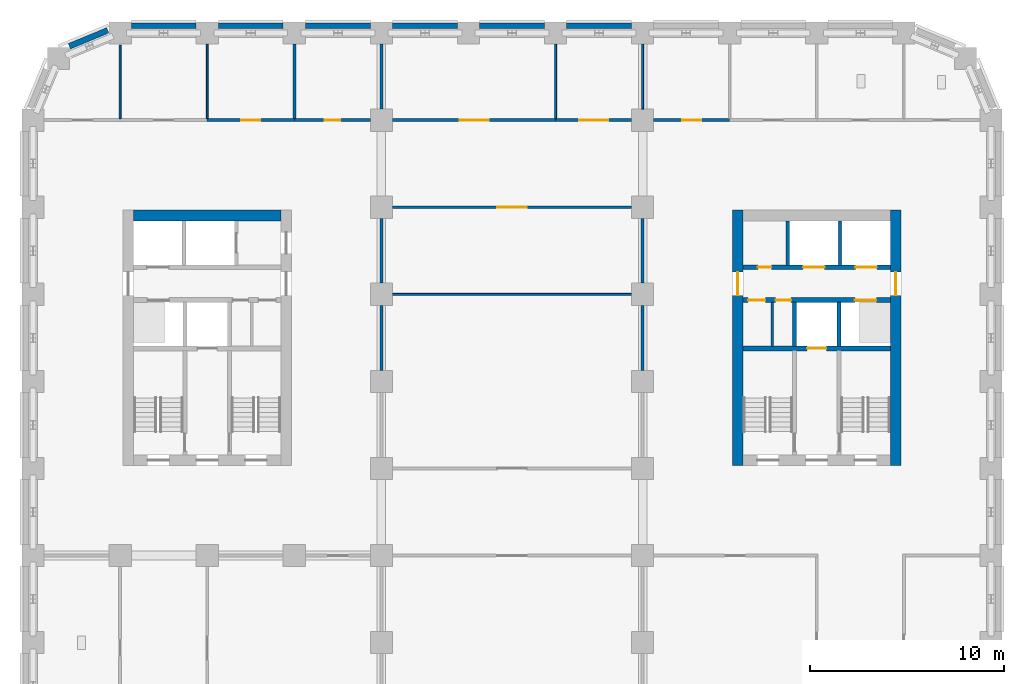
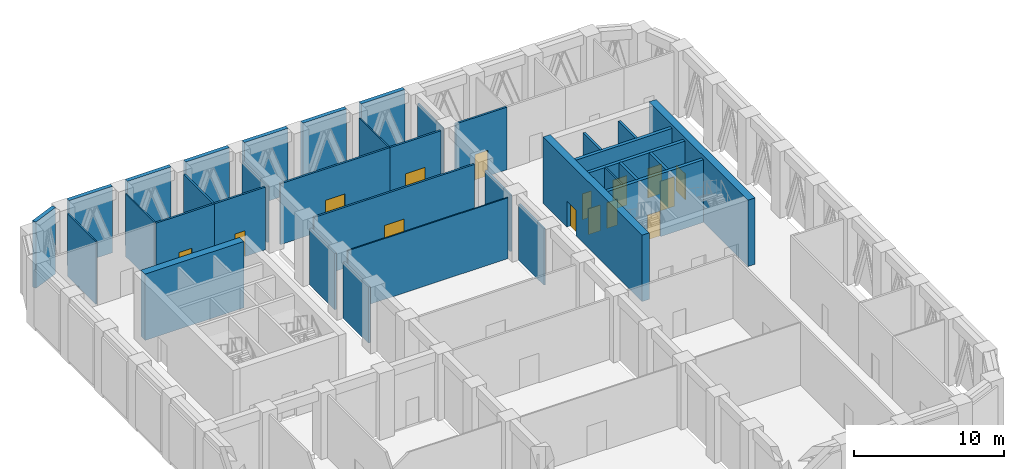
# One storey, part 5 of 11: 35 walls, 15 doors, 15 openings.
"""IFC4 building model written with IfcOpenShell, lengths in metres."""

import ifcopenshell
import ifcopenshell.guid

model = None  # the IFC model being written
_history = None  # IfcOwnerHistory: only IFC2X3 demands one
_inside = {}  # id of a spatial element -> (the spatial element, [elements in it])
_under = {}  # id of a project, library or spatial element -> (it, [spatial elements below it])
_declared = {}  # id of a project -> (the project, [libraries it declares])
_typed = {}  # id of a type object -> (the type object, [elements of that type])
_made_of = {}  # id of a material, layer set ... -> (it, [elements and type objects made of it])


def new_model(schema):
    """Start an empty IFC model of exactly this schema.

    Asked for "IFC4X3", IfcOpenShell would pick the latest addendum, in which some entities
    have other attributes; the version numbers below select the first issue.
    IFC2X3 requires an IfcOwnerHistory on every rooted entity: one is made here for all.
    """
    global model, _history
    if schema == "IFC4X3":
        model = ifcopenshell.file(schema_version=(4, 3, 0, 0))
    else:
        model = ifcopenshell.file(schema=schema)
    _inside.clear()
    _under.clear()
    _declared.clear()
    _typed.clear()
    _made_of.clear()
    _history = None
    if model.schema == "IFC2X3":
        org = make("IfcOrganization", Name="unknown")
        user = make(
            "IfcPersonAndOrganization",
            ThePerson=make("IfcPerson", FamilyName="unknown"),
            TheOrganization=org,
        )
        app = make(
            "IfcApplication",
            ApplicationDeveloper=org,
            Version="unknown",
            ApplicationFullName="unknown",
            ApplicationIdentifier="unknown",
        )
        _history = make(
            "IfcOwnerHistory",
            OwningUser=user,
            OwningApplication=app,
            ChangeAction="ADDED",
            CreationDate=0,
        )
    return model


def make(cls, **values):
    """One entity of the class cls with the attributes given. An attribute that is None is left unset."""
    return model.create_entity(
        cls, **{name: value for name, value in values.items() if value is not None}
    )


def rooted(cls, **values):
    """An entity with a GlobalId (a new one), such as an element, a storey or a relation."""
    return make(cls, GlobalId=ifcopenshell.guid.new(), OwnerHistory=_history, **values)


def si_unit(unit_type, name, prefix=None):
    """IfcSIUnit, for example si_unit("LENGTHUNIT", "METRE", prefix="MILLI")."""
    return make("IfcSIUnit", UnitType=unit_type, Prefix=prefix, Name=name)


def assignment(units):
    """IfcUnitAssignment: the units of a project."""
    return None if units is None else make("IfcUnitAssignment", Units=units)


def point(xyz):
    """IfcCartesianPoint."""
    return None if xyz is None else make("IfcCartesianPoint", Coordinates=xyz)


def direction(xyz):
    """IfcDirection."""
    return None if xyz is None else make("IfcDirection", DirectionRatios=xyz)


def frame(location, z_axis=None, x_axis=None):
    """IfcAxis2Placement3D, a coordinate frame: its origin and axes. An axis left out is left unset."""
    return make(
        "IfcAxis2Placement3D",
        Location=point(location),
        Axis=direction(z_axis),
        RefDirection=direction(x_axis),
    )


def frame_2d(location, x_axis=None):
    """IfcAxis2Placement2D, a coordinate frame in the plane: its origin and x axis."""
    return make(
        "IfcAxis2Placement2D", Location=point(location), RefDirection=direction(x_axis)
    )


def origin():
    """The frame at (0, 0, 0) with its axes left unset."""
    return frame((0.0, 0.0, 0.0))


def place(relative_to, where):
    """IfcLocalPlacement: puts the frame where relative to a parent placement (None: the world)."""
    return make(
        "IfcLocalPlacement", PlacementRelTo=relative_to, RelativePlacement=where
    )


def context(
    kind, dimensions, precision=None, world=None, true_north=None, identifier=None
):
    """IfcGeometricRepresentationContext, for example the 3D "Model" context."""
    return make(
        "IfcGeometricRepresentationContext",
        ContextIdentifier=identifier,
        ContextType=kind,
        CoordinateSpaceDimension=dimensions,
        Precision=precision,
        WorldCoordinateSystem=world,
        TrueNorth=true_north,
    )


def subcontext(parent, identifier, kind, view, scale=None):
    """IfcGeometricRepresentationSubContext, for example "Body" below "Model"."""
    return make(
        "IfcGeometricRepresentationSubContext",
        ContextIdentifier=identifier,
        ContextType=kind,
        ParentContext=parent,
        TargetScale=scale,
        TargetView=view,
    )


def project(units=None, contexts=None):
    """IfcProject with its units and contexts."""
    return rooted(
        "IfcProject",
        Name="project",
        RepresentationContexts=contexts,
        UnitsInContext=assignment(units),
    )


def spatial(cls, under=None, at=None, **own):
    """A site, building, storey or space (cls), placed at a placement, below another one or the project."""
    s = rooted(cls, ObjectPlacement=at, **own)
    if under is not None:
        _under.setdefault(under.id(), (under, []))[1].append(s)
    return s


def profile(cls, at=None, kind="AREA", **sizes):
    """A parametric profile (cls). Its sizes go by their IFC names, for example OverallWidth=200.0."""
    return make(cls, ProfileType=kind, Position=at, **sizes)


def rectangle(**sizes):
    """IfcRectangleProfileDef."""
    return profile("IfcRectangleProfileDef", **sizes)


def extrude(swept, where, along, depth):
    """IfcExtrudedAreaSolid: the profile swept, set in the frame where, extruded along a direction by depth."""
    return make(
        "IfcExtrudedAreaSolid",
        SweptArea=swept,
        Position=where,
        ExtrudedDirection=direction(along),
        Depth=depth,
    )


def shape(context_of_items, identifier, shape_type, items):
    """IfcShapeRepresentation: the items that make up one representation, for example the "Body"."""
    return make(
        "IfcShapeRepresentation",
        ContextOfItems=context_of_items,
        RepresentationIdentifier=identifier,
        RepresentationType=shape_type,
        Items=items,
    )


def material(Name=None, Category=None):
    """IfcMaterial."""
    return make("IfcMaterial", Name=Name, Category=Category)


def layer(
    of_material, thickness, ventilated=None, Name=None, Category=None, Priority=None
):
    """IfcMaterialLayer: one layer of a wall or slab, of a material (None: an air gap)."""
    return make(
        "IfcMaterialLayer",
        Material=of_material,
        LayerThickness=thickness,
        IsVentilated=ventilated,
        Name=Name,
        Category=Category,
        Priority=Priority,
    )


def layer_set(layers, Name=None):
    """IfcMaterialLayerSet."""
    return make("IfcMaterialLayerSet", MaterialLayers=layers, LayerSetName=Name)


def made_of(thing, what):
    """Note that an element or type object is made of a material, layer set ...; save() writes the relation."""
    if what is not None:
        _made_of.setdefault(what.id(), (what, []))[1].append(thing)
    return thing


def type_object(cls, material=None, **own):
    """A type object (cls), such as IfcWallType, which elements share."""
    return made_of(rooted(cls, **own), material)


def element(
    cls,
    number,
    at=None,
    inside=None,
    cuts=None,
    type_object=None,
    material=None,
    context=None,
    identifier="Body",
    shape_type=None,
    held_by="IfcProductDefinitionShape",
    body=None,
    shapes=None,
    **own,
):
    """One element of the class cls, such as IfcWall. Its Tag is "e" and its number.

    at: its placement. inside: the storey or other place that contains it. cuts: it is an
    opening in that element (IfcRelVoidsElement). A single representation is given by context,
    identifier, shape_type and body (its items); several are given by shapes. held_by: the class
    of the entity that holds the representations. save() writes the other relations.
    """
    e = rooted(cls, Tag="e%d" % number, ObjectPlacement=at, **own)
    if body is not None:
        shapes = [shape(context, identifier, shape_type, body)]
    if shapes is not None:
        e.Representation = make(held_by, Representations=shapes)
    if inside is not None:
        _inside.setdefault(inside.id(), (inside, []))[1].append(e)
    if cuts is not None:
        rooted(
            "IfcRelVoidsElement", RelatingBuildingElement=cuts, RelatedOpeningElement=e
        )
    if type_object is not None:
        _typed.setdefault(type_object.id(), (type_object, []))[1].append(e)
    return made_of(e, material)


def fill(opening, filler):
    """IfcRelFillsElement: the door or window that sits in an opening."""
    return rooted(
        "IfcRelFillsElement",
        RelatingOpeningElement=opening,
        RelatedBuildingElement=filler,
    )


def aggregate(whole, parts):
    """IfcRelAggregates: a whole, such as a stair, and the parts it consists of."""
    return rooted("IfcRelAggregates", RelatingObject=whole, RelatedObjects=parts)


def save(model, path):
    """Write the relations noted so far, then the file.

    IfcRelAggregates (storeys below a building ...), IfcRelContainedInSpatialStructure (elements
    in a storey), IfcRelDefinesByType, IfcRelAssociatesMaterial and IfcRelDeclares: one each for
    every whole, place, type object, material and project.
    """
    for whole, parts in _under.values():
        aggregate(whole, parts)
    for where, things in _inside.values():
        rooted(
            "IfcRelContainedInSpatialStructure",
            RelatedElements=things,
            RelatingStructure=where,
        )
    for kind, things in _typed.values():
        rooted("IfcRelDefinesByType", RelatedObjects=things, RelatingType=kind)
    for what, things in _made_of.values():
        rooted("IfcRelAssociatesMaterial", RelatedObjects=things, RelatingMaterial=what)
    for by, libraries in _declared.values():
        rooted("IfcRelDeclares", RelatingContext=by, RelatedDefinitions=libraries)
    model.write(path)


model = new_model("IFC4")

# Units and contexts
model_context = context("Model", 3, precision=1e-05, world=origin(), true_north=direction((0.0, 1.0)))
body_context = subcontext(model_context, "Body", "Model", "MODEL_VIEW")
ifc_project = project(units=[si_unit("LENGTHUNIT", "METRE"), si_unit("AREAUNIT", "SQUARE_METRE"), si_unit("VOLUMEUNIT", "CUBIC_METRE"), si_unit("PLANEANGLEUNIT", "RADIAN"), si_unit("MASSUNIT", "GRAM", prefix="KILO")], contexts=[model_context])

# Site, building, storey
site_placement = place(None, origin())
site = spatial("IfcSite", under=ifc_project, at=site_placement, CompositionType="ELEMENT")
building_placement = place(site_placement, origin())
building = spatial("IfcBuilding", under=site, at=building_placement, Name="Girih Gate Residences", CompositionType="ELEMENT")
storey_placement = place(building_placement, frame((0.0, 0.0, 124.800048828125)))
storey = spatial("IfcBuildingStorey", under=building, at=storey_placement, Name="L35", CompositionType="ELEMENT", Elevation=124.800048828125)

# Walls
ifc_material_1 = material(Name="Gypsum board on steel studs", Category="steel")
ifc_layer_1 = layer(ifc_material_1, 0.14990234375)
ifc_layer_set_1 = layer_set([ifc_layer_1], Name="Compartment wall 150 mm")
wall_type_1 = type_object("IfcWallType", Name="Compartment wall 150 mm", PredefinedType="PARTITIONING", material=ifc_layer_set_1)
for number, where, z_axis, x_axis, name in (
    (1, (31.5, 32.074951171875, 0.0), (0.0, 0.0, 1.0), (0.0, 1.0, 0.0), "L35 partition"),
    (2, (18.0, 32.074951171875, 0.0), (0.0, 0.0, 1.0), (0.0, 1.0, 0.0), "L35 partition"),
):
    element("IfcWall", number, at=place(storey_placement, frame(where, z_axis=z_axis, x_axis=x_axis)), inside=storey, type_object=wall_type_1, Name=name, PredefinedType="PARTITIONING", context=body_context, shape_type="SweptSolid", body=[
        extrude(rectangle(XDim=3.35009765625, YDim=0.14990234375, at=frame_2d((1.675048828125, 0.0))), origin(), (0.0, 0.0, 1.0), 4.579833984375),
    ])

# Wall, opening, door
wall_1_placement = place(storey_placement, frame((30.925048828125, 40.5, 0.0), z_axis=(0.0, 0.0, 1.0), x_axis=(-1.0, 0.0, 0.0)))
wall_1 = element("IfcWall", 3, at=wall_1_placement, inside=storey, type_object=wall_type_1, Name="L35 partition", PredefinedType="PARTITIONING", context=body_context, shape_type="SweptSolid", body=[
    extrude(rectangle(XDim=12.35009765625, YDim=0.14990234375, at=frame_2d((6.175048828125, 0.0))), origin(), (0.0, 0.0, 1.0), 4.949951171875),
])
opening_1_placement = place(wall_1_placement, frame((5.425048828125, 0.0, 0.0)))
opening_1 = element("IfcOpeningElement", 4, at=opening_1_placement, cuts=wall_1, Name="Opening D-L35-S-003", PredefinedType="OPENING", context=body_context, shape_type="SweptSolid", body=[
    extrude(rectangle(XDim=1.5, YDim=2.39990234375, at=frame_2d((0.75, 1.199951171875))), frame((0.0, 0.0849609375, 0.0), z_axis=(0.0, -1.0, 0.0), x_axis=(1.0, 0.0, 0.0)), (0.0, 0.0, 1.0), 0.169921875),
])
ifc_material_2 = material(Name="Painted steel, fire-resisting", Category="steel")
door_type_1 = type_object("IfcDoorType", Name="Plant room door pair 1500x2400 FD60", OperationType="DOUBLE_DOOR_SINGLE_SWING", PredefinedType="DOOR", material=ifc_material_2)
door_1_placement = place(opening_1_placement, origin())
door_1 = element("IfcDoor", 5, at=door_1_placement, inside=storey, type_object=door_type_1, Name="Door L35-003", OperationType="DOUBLE_DOOR_SINGLE_SWING", OverallHeight=2.39990234375, OverallWidth=1.5, PredefinedType="DOOR", context=body_context, shape_type="SweptSolid", body=[
    extrude(rectangle(XDim=1.5, YDim=2.39990234375, at=frame_2d((0.75, 1.199951171875))), frame((0.0, 0.02490234375, 0.0), z_axis=(0.0, -1.0, 0.0), x_axis=(1.0, 0.0, 0.0)), (0.0, 0.0, 1.0), 0.050048828125),
])
fill(opening_1, door_1)

# Walls
for number, where, z_axis, x_axis, name in (
    (6, (31.5, 36.574951171875, 0.0), (0.0, 0.0, 1.0), (0.0, 1.0, 0.0), "L35 partition"),
    (7, (18.0, 36.574951171875, 0.0), (0.0, 0.0, 1.0), (0.0, 1.0, 0.0), "L35 partition"),
):
    element("IfcWall", number, at=place(storey_placement, frame(where, z_axis=z_axis, x_axis=x_axis)), inside=storey, type_object=wall_type_1, Name=name, PredefinedType="PARTITIONING", context=body_context, shape_type="SweptSolid", body=[
        extrude(rectangle(XDim=3.35009765625, YDim=0.14990234375, at=frame_2d((1.675048828125, 0.0))), origin(), (0.0, 0.0, 1.0), 4.579833984375),
    ])

# Wall, opening, door
wall_2_placement = place(storey_placement, frame((18.574951171875, 45.0, 0.0), z_axis=(0.0, 0.0, 1.0), x_axis=(1.0, 0.0, 0.0)))
wall_2 = element("IfcWall", 8, at=wall_2_placement, inside=storey, type_object=wall_type_1, Name="L35 partition", PredefinedType="PARTITIONING", context=body_context, shape_type="SweptSolid", body=[
    extrude(rectangle(XDim=8.425048828125, YDim=0.14990234375, at=frame_2d((4.21240234375, 0.0))), origin(), (0.0, 0.0, 1.0), 4.949951171875),
])
opening_2_placement = place(wall_2_placement, frame((3.46240234375, 0.0, 0.0)))
opening_2 = element("IfcOpeningElement", 9, at=opening_2_placement, cuts=wall_2, Name="Opening D-L35-S-004", PredefinedType="OPENING", context=body_context, shape_type="SweptSolid", body=[
    extrude(rectangle(XDim=1.5, YDim=2.39990234375, at=frame_2d((0.75, 1.199951171875))), frame((0.0, 0.0849609375, 0.0), z_axis=(0.0, -1.0, 0.0), x_axis=(1.0, 0.0, 0.0)), (0.0, 0.0, 1.0), 0.169921875),
])
door_2_placement = place(opening_2_placement, origin())
door_2 = element("IfcDoor", 10, at=door_2_placement, inside=storey, type_object=door_type_1, Name="Door L35-004", OperationType="DOUBLE_DOOR_SINGLE_SWING", OverallHeight=2.39990234375, OverallWidth=1.5, PredefinedType="DOOR", context=body_context, shape_type="SweptSolid", body=[
    extrude(rectangle(XDim=1.5, YDim=2.39990234375, at=frame_2d((0.75, 1.199951171875))), frame((0.0, 0.02490234375, 0.0), z_axis=(0.0, -1.0, 0.0), x_axis=(1.0, 0.0, 0.0)), (0.0, 0.0, 1.0), 0.050048828125),
])
fill(opening_2, door_2)

# Wall
wall_3_placement = place(storey_placement, frame((18.0, 45.574951171875, 0.0), z_axis=(0.0, 0.0, 1.0), x_axis=(0.0, 1.0, 0.0)))
element("IfcWall", 11, at=wall_3_placement, inside=storey, type_object=wall_type_1, Name="L35 partition", PredefinedType="PARTITIONING", context=body_context, shape_type="SweptSolid", body=[
    extrude(rectangle(XDim=3.35009765625, YDim=0.14990234375, at=frame_2d((1.675048828125, 0.0))), origin(), (0.0, 0.0, 1.0), 4.579833984375),
])

# Wall, opening, door
wall_4_placement = place(storey_placement, frame((27.0, 45.0, 0.0), z_axis=(0.0, 0.0, 1.0), x_axis=(1.0, 0.0, 0.0)))
wall_4 = element("IfcWall", 12, at=wall_4_placement, inside=storey, type_object=wall_type_1, Name="L35 partition", PredefinedType="PARTITIONING", context=body_context, shape_type="SweptSolid", body=[
    extrude(rectangle(XDim=3.925048828125, YDim=0.14990234375, at=frame_2d((1.96240234375, 0.0))), origin(), (0.0, 0.0, 1.0), 4.949951171875),
])
opening_3_placement = place(wall_4_placement, frame((1.21240234375, 0.0, 0.0)))
opening_3 = element("IfcOpeningElement", 13, at=opening_3_placement, cuts=wall_4, Name="Opening D-L35-S-005", PredefinedType="OPENING", context=body_context, shape_type="SweptSolid", body=[
    extrude(rectangle(XDim=1.5, YDim=2.39990234375, at=frame_2d((0.75, 1.199951171875))), frame((0.0, 0.0849609375, 0.0), z_axis=(0.0, -1.0, 0.0), x_axis=(1.0, 0.0, 0.0)), (0.0, 0.0, 1.0), 0.169921875),
])
door_3_placement = place(opening_3_placement, origin())
door_3 = element("IfcDoor", 14, at=door_3_placement, inside=storey, type_object=door_type_1, Name="Door L35-005", OperationType="DOUBLE_DOOR_SINGLE_SWING", OverallHeight=2.39990234375, OverallWidth=1.5, PredefinedType="DOOR", context=body_context, shape_type="SweptSolid", body=[
    extrude(rectangle(XDim=1.5, YDim=2.39990234375, at=frame_2d((0.75, 1.199951171875))), frame((0.0, 0.02490234375, 0.0), z_axis=(0.0, -1.0, 0.0), x_axis=(1.0, 0.0, 0.0)), (0.0, 0.0, 1.0), 0.050048828125),
])
fill(opening_3, door_3)

wall_5_placement = place(storey_placement, frame((32.074951171875, 45.0, 0.0), z_axis=(0.0, 0.0, 1.0), x_axis=(1.0, 0.0, 0.0)))
wall_5 = element("IfcWall", 15, at=wall_5_placement, inside=storey, type_object=wall_type_1, Name="L35 partition", PredefinedType="PARTITIONING", context=body_context, shape_type="SweptSolid", body=[
    extrude(rectangle(XDim=3.925048828125, YDim=0.14990234375, at=frame_2d((1.96240234375, 0.0))), origin(), (0.0, 0.0, 1.0), 5.099853515625),
])
opening_4_placement = place(wall_5_placement, frame((1.46240234375, 0.0, 0.0)))
opening_4 = element("IfcOpeningElement", 16, at=opening_4_placement, cuts=wall_5, Name="Opening D-L35-S-011", PredefinedType="OPENING", context=body_context, shape_type="SweptSolid", body=[
    extrude(rectangle(XDim=1.0, YDim=2.10009765625, at=frame_2d((0.5, 1.050048828125))), frame((0.0, 0.0849609375, 0.0), z_axis=(0.0, -1.0, 0.0), x_axis=(1.0, 0.0, 0.0)), (0.0, 0.0, 1.0), 0.169921875),
])
door_type_2 = type_object("IfcDoorType", Name="Plant room door 1000x2100 FD60", OperationType="SINGLE_SWING_LEFT", PredefinedType="DOOR", material=ifc_material_2)
door_4_placement = place(opening_4_placement, origin())
door_4 = element("IfcDoor", 17, at=door_4_placement, inside=storey, type_object=door_type_2, Name="Door L35-011", OperationType="SINGLE_SWING_RIGHT", OverallHeight=2.10009765625, OverallWidth=1.0, PredefinedType="DOOR", context=body_context, shape_type="SweptSolid", body=[
    extrude(rectangle(XDim=1.0, YDim=2.10009765625, at=frame_2d((0.5, 1.050048828125))), frame((0.0, 0.02490234375, 0.0), z_axis=(0.0, -1.0, 0.0), x_axis=(1.0, 0.0, 0.0)), (0.0, 0.0, 1.0), 0.050048828125),
])
fill(opening_4, door_4)

# Wall
wall_6_placement = place(storey_placement, frame((13.5, 45.074951171875, 0.0), z_axis=(0.0, 0.0, 1.0), x_axis=(0.0, 1.0, 0.0)))
element("IfcWall", 18, at=wall_6_placement, inside=storey, type_object=wall_type_1, Name="L35 partition", PredefinedType="PARTITIONING", context=body_context, shape_type="SweptSolid", body=[
    extrude(rectangle(XDim=3.85009765625, YDim=0.14990234375, at=frame_2d((1.925048828125, 0.0))), origin(), (0.0, 0.0, 1.0), 5.099853515625),
])

# Wall, opening, door
wall_7_placement = place(storey_placement, frame((9.0, 45.0, 0.0), z_axis=(0.0, 0.0, 1.0), x_axis=(1.0, 0.0, 0.0)))
wall_7 = element("IfcWall", 19, at=wall_7_placement, inside=storey, type_object=wall_type_1, Name="L35 partition", PredefinedType="PARTITIONING", context=body_context, shape_type="SweptSolid", body=[
    extrude(rectangle(XDim=4.5, YDim=0.14990234375, at=frame_2d((2.25, 0.0))), origin(), (0.0, 0.0, 1.0), 5.099853515625),
])
opening_5_placement = place(wall_7_placement, frame((1.75, 0.0, 0.0)))
opening_5 = element("IfcOpeningElement", 20, at=opening_5_placement, cuts=wall_7, Name="Opening D-L35-S-020", PredefinedType="OPENING", context=body_context, shape_type="SweptSolid", body=[
    extrude(rectangle(XDim=1.0, YDim=2.10009765625, at=frame_2d((0.5, 1.050048828125))), frame((0.0, 0.0849609375, 0.0), z_axis=(0.0, -1.0, 0.0), x_axis=(1.0, 0.0, 0.0)), (0.0, 0.0, 1.0), 0.169921875),
])
door_5_placement = place(opening_5_placement, origin())
door_5 = element("IfcDoor", 21, at=door_5_placement, inside=storey, type_object=door_type_2, Name="Door L35-020", OperationType="SINGLE_SWING_RIGHT", OverallHeight=2.10009765625, OverallWidth=1.0, PredefinedType="DOOR", context=body_context, shape_type="SweptSolid", body=[
    extrude(rectangle(XDim=1.0, YDim=2.10009765625, at=frame_2d((0.5, 1.050048828125))), frame((0.0, 0.02490234375, 0.0), z_axis=(0.0, -1.0, 0.0), x_axis=(1.0, 0.0, 0.0)), (0.0, 0.0, 1.0), 0.050048828125),
])
fill(opening_5, door_5)

wall_8_placement = place(storey_placement, frame((13.5, 45.0, 0.0), z_axis=(0.0, 0.0, 1.0), x_axis=(1.0, 0.0, 0.0)))
wall_8 = element("IfcWall", 22, at=wall_8_placement, inside=storey, type_object=wall_type_1, Name="L35 partition", PredefinedType="PARTITIONING", context=body_context, shape_type="SweptSolid", body=[
    extrude(rectangle(XDim=3.925048828125, YDim=0.14990234375, at=frame_2d((1.96240234375, 0.0))), origin(), (0.0, 0.0, 1.0), 5.099853515625),
])
opening_6_placement = place(wall_8_placement, frame((1.5625, 0.0, 0.0)))
opening_6 = element("IfcOpeningElement", 23, at=opening_6_placement, cuts=wall_8, Name="Opening D-L35-S-021", PredefinedType="OPENING", context=body_context, shape_type="SweptSolid", body=[
    extrude(rectangle(XDim=0.800048828125, YDim=2.10009765625, at=frame_2d((0.39990234375, 1.050048828125))), frame((0.0, 0.0849609375, 0.0), z_axis=(0.0, -1.0, 0.0), x_axis=(1.0, 0.0, 0.0)), (0.0, 0.0, 1.0), 0.169921875),
])
ifc_material_3 = material(Name="Timber", Category="wood")
door_type_3 = type_object("IfcDoorType", Name="WC and store door 800x2100", OperationType="SINGLE_SWING_LEFT", PredefinedType="DOOR", material=ifc_material_3)
door_6_placement = place(opening_6_placement, origin())
door_6 = element("IfcDoor", 24, at=door_6_placement, inside=storey, type_object=door_type_3, Name="Door L35-021", OperationType="SINGLE_SWING_RIGHT", OverallHeight=2.10009765625, OverallWidth=0.800048828125, PredefinedType="DOOR", context=body_context, shape_type="SweptSolid", body=[
    extrude(rectangle(XDim=0.800048828125, YDim=2.10009765625, at=frame_2d((0.39990234375, 1.050048828125))), frame((0.0, 0.02490234375, 0.0), z_axis=(0.0, -1.0, 0.0), x_axis=(1.0, 0.0, 0.0)), (0.0, 0.0, 1.0), 0.050048828125),
])
fill(opening_6, door_6)

# Wall
ifc_material_4 = material(Name="Concrete C60/75", Category="concrete")
ifc_layer_2 = layer(ifc_material_4, 0.550048828125)
ifc_layer_set_2 = layer_set([ifc_layer_2], Name="Core wall RC 550 Concrete C60/75")
wall_type_2 = type_object("IfcWallType", Name="Core wall RC 550 Concrete C60/75", PredefinedType="SOLIDWALL", material=ifc_layer_set_2)
wall_9_placement = place(storey_placement, frame((5.199951171875, 40.074951171875, 0.0), z_axis=(0.0, 0.0, 1.0), x_axis=(1.0, 0.0, 0.0)))
element("IfcWall", 25, at=wall_9_placement, inside=storey, type_object=wall_type_2, Name="Core wall W-N L35", PredefinedType="SOLIDWALL", context=body_context, shape_type="SweptSolid", body=[
    extrude(rectangle(XDim=7.60009765625, YDim=0.550048828125, at=frame_2d((3.800048828125, 0.0))), origin(), (0.0, 0.0, 1.0), 5.39990234375),
])

# Wall, opening, door
wall_10_placement = place(storey_placement, frame((36.425048828125, 27.14990234375, 0.0), z_axis=(0.0, 0.0, 1.0), x_axis=(0.0, 1.0, 0.0)))
wall_10 = element("IfcWall", 26, at=wall_10_placement, inside=storey, type_object=wall_type_2, Name="Core wall E-W L35", PredefinedType="SOLIDWALL", context=body_context, shape_type="SweptSolid", body=[
    extrude(rectangle(XDim=13.2001953125, YDim=0.550048828125, at=frame_2d((6.60009765625, 0.0))), origin(), (0.0, 0.0, 1.0), 5.39990234375),
])
opening_7_placement = place(wall_10_placement, frame((8.800048828125, 0.0, 0.0)))
opening_7 = element("IfcOpeningElement", 27, at=opening_7_placement, cuts=wall_10, Name="Opening D-L35-E-013", PredefinedType="OPENING", context=body_context, shape_type="SweptSolid", body=[
    extrude(rectangle(XDim=1.199951171875, YDim=2.10009765625, at=frame_2d((0.60009765625, 1.050048828125))), frame((0.0, 0.284912109375, 0.0), z_axis=(0.0, -1.0, 0.0), x_axis=(1.0, 0.0, 0.0)), (0.0, 0.0, 1.0), 0.570068359375),
])
door_type_4 = type_object("IfcDoorType", Name="Fire door 1200x2100", OperationType="SINGLE_SWING_LEFT", PredefinedType="DOOR", material=ifc_material_2)
door_7_placement = place(opening_7_placement, origin())
door_7 = element("IfcDoor", 28, at=door_7_placement, inside=storey, type_object=door_type_4, Name="L35 E core door ll-w", OperationType="SINGLE_SWING_LEFT", OverallHeight=2.10009765625, OverallWidth=1.199951171875, PredefinedType="DOOR", context=body_context, shape_type="SweptSolid", body=[
    extrude(rectangle(XDim=1.199951171875, YDim=2.10009765625, at=frame_2d((0.60009765625, 1.050048828125))), frame((0.0, 0.02490234375, 0.0), z_axis=(0.0, -1.0, 0.0), x_axis=(1.0, 0.0, 0.0)), (0.0, 0.0, 1.0), 0.050048828125),
])
fill(opening_7, door_7)

wall_11_placement = place(storey_placement, frame((44.574951171875, 27.14990234375, 0.0), z_axis=(0.0, 0.0, 1.0), x_axis=(0.0, 1.0, 0.0)))
wall_11 = element("IfcWall", 29, at=wall_11_placement, inside=storey, type_object=wall_type_2, Name="Core wall E-E L35", PredefinedType="SOLIDWALL", context=body_context, shape_type="SweptSolid", body=[
    extrude(rectangle(XDim=13.2001953125, YDim=0.550048828125, at=frame_2d((6.60009765625, 0.0))), origin(), (0.0, 0.0, 1.0), 5.39990234375),
])
opening_8_placement = place(wall_11_placement, frame((8.800048828125, 0.0, 0.0)))
opening_8 = element("IfcOpeningElement", 30, at=opening_8_placement, cuts=wall_11, Name="Opening D-L35-E-014", PredefinedType="OPENING", context=body_context, shape_type="SweptSolid", body=[
    extrude(rectangle(XDim=1.199951171875, YDim=2.10009765625, at=frame_2d((0.60009765625, 1.050048828125))), frame((0.0, 0.284912109375, 0.0), z_axis=(0.0, -1.0, 0.0), x_axis=(1.0, 0.0, 0.0)), (0.0, 0.0, 1.0), 0.570068359375),
])
door_8_placement = place(opening_8_placement, origin())
door_8 = element("IfcDoor", 31, at=door_8_placement, inside=storey, type_object=door_type_4, Name="L35 E core door ll-e", OperationType="SINGLE_SWING_LEFT", OverallHeight=2.10009765625, OverallWidth=1.199951171875, PredefinedType="DOOR", context=body_context, shape_type="SweptSolid", body=[
    extrude(rectangle(XDim=1.199951171875, YDim=2.10009765625, at=frame_2d((0.60009765625, 1.050048828125))), frame((0.0, 0.02490234375, 0.0), z_axis=(0.0, -1.0, 0.0), x_axis=(1.0, 0.0, 0.0)), (0.0, 0.0, 1.0), 0.050048828125),
])
fill(opening_8, door_8)

ifc_material_5 = material(Name="Concrete C40/50", Category="concrete")
ifc_layer_3 = layer(ifc_material_5, 0.25)
ifc_layer_set_3 = layer_set([ifc_layer_3], Name="Lift shaft wall 250")
wall_type_3 = type_object("IfcWallType", Name="Lift shaft wall 250", PredefinedType="SOLIDWALL", material=ifc_layer_set_3)
wall_12_placement = place(storey_placement, frame((36.699951171875, 33.199951171875, 0.0), z_axis=(0.0, 0.0, 1.0), x_axis=(1.0, 0.0, 0.0)))
wall_12 = element("IfcWall", 32, at=wall_12_placement, inside=storey, type_object=wall_type_3, Name="L35 E core wall H1", PredefinedType="SOLIDWALL", context=body_context, shape_type="SweptSolid", body=[
    extrude(rectangle(XDim=7.60009765625, YDim=0.25, at=frame_2d((3.800048828125, 0.0))), origin(), (0.0, 0.0, 1.0), 5.099853515625),
])
opening_9_placement = place(wall_12_placement, frame((3.300048828125, 0.0, 0.0)))
opening_9 = element("IfcOpeningElement", 33, at=opening_9_placement, cuts=wall_12, Name="Opening D-L35-E-006", PredefinedType="OPENING", context=body_context, shape_type="SweptSolid", body=[
    extrude(rectangle(XDim=1.0, YDim=2.10009765625, at=frame_2d((0.5, 1.050048828125))), frame((0.0, 0.135009765625, 0.0), z_axis=(0.0, -1.0, 0.0), x_axis=(1.0, 0.0, 0.0)), (0.0, 0.0, 1.0), 0.27001953125),
])
ifc_material_6 = material(Name="Stainless steel, fire-resisting", Category="steel")
door_type_5 = type_object("IfcDoorType", Name="Firefighting lift landing door 1000x2100", OperationType="SLIDING_TO_LEFT", PredefinedType="DOOR", material=ifc_material_6)
door_9_placement = place(opening_9_placement, origin())
door_9 = element("IfcDoor", 34, at=door_9_placement, inside=storey, type_object=door_type_5, Name="L35 lift FF-E landing door", OperationType="SLIDING_TO_LEFT", OverallHeight=2.10009765625, OverallWidth=1.0, PredefinedType="DOOR", context=body_context, shape_type="SweptSolid", body=[
    extrude(rectangle(XDim=1.0, YDim=2.10009765625, at=frame_2d((0.5, 1.050048828125))), frame((0.0, 0.02490234375, 0.0), z_axis=(0.0, -1.0, 0.0), x_axis=(1.0, 0.0, 0.0)), (0.0, 0.0, 1.0), 0.050048828125),
])
fill(opening_9, door_9)

# Wall, openings, doors
wall_13_placement = place(storey_placement, frame((36.699951171875, 35.699951171875, 0.0), z_axis=(0.0, 0.0, 1.0), x_axis=(1.0, 0.0, 0.0)))
wall_13 = element("IfcWall", 35, at=wall_13_placement, inside=storey, type_object=wall_type_3, Name="L35 E core wall H2", PredefinedType="SOLIDWALL", context=body_context, shape_type="SweptSolid", body=[
    extrude(rectangle(XDim=7.60009765625, YDim=0.25, at=frame_2d((3.800048828125, 0.0))), origin(), (0.0, 0.0, 1.0), 5.099853515625),
])
opening_10_placement = place(wall_13_placement, frame((5.77490234375, 0.0, 0.0)))
opening_10 = element("IfcOpeningElement", 36, at=opening_10_placement, cuts=wall_13, Name="Opening D-L35-E-005", PredefinedType="OPENING", context=body_context, shape_type="SweptSolid", body=[
    extrude(rectangle(XDim=1.10009765625, YDim=2.39990234375, at=frame_2d((0.550048828125, 1.199951171875))), frame((0.0, 0.135009765625, 0.0), z_axis=(0.0, -1.0, 0.0), x_axis=(1.0, 0.0, 0.0)), (0.0, 0.0, 1.0), 0.27001953125),
])
opening_11_placement = place(wall_13_placement, frame((1.675048828125, 0.0, 0.0)))
opening_11 = element("IfcOpeningElement", 37, at=opening_11_placement, cuts=wall_13, Name="Opening D-L35-E-008", PredefinedType="OPENING", context=body_context, shape_type="SweptSolid", body=[
    extrude(rectangle(XDim=0.800048828125, YDim=2.10009765625, at=frame_2d((0.39990234375, 1.050048828125))), frame((0.0, 0.135009765625, 0.0), z_axis=(0.0, -1.0, 0.0), x_axis=(1.0, 0.0, 0.0)), (0.0, 0.0, 1.0), 0.27001953125),
])
opening_12_placement = place(wall_13_placement, frame((0.25, 0.0, 0.0)))
opening_12 = element("IfcOpeningElement", 38, at=opening_12_placement, cuts=wall_13, Name="Opening D-L35-E-009", PredefinedType="OPENING", context=body_context, shape_type="SweptSolid", body=[
    extrude(rectangle(XDim=0.89990234375, YDim=2.10009765625, at=frame_2d((0.449951171875, 1.050048828125))), frame((0.0, 0.135009765625, 0.0), z_axis=(0.0, -1.0, 0.0), x_axis=(1.0, 0.0, 0.0)), (0.0, 0.0, 1.0), 0.27001953125),
])
door_type_6 = type_object("IfcDoorType", Name="Fire door 800x2100", OperationType="SINGLE_SWING_LEFT", PredefinedType="DOOR", material=ifc_material_2)
door_10_placement = place(opening_11_placement, origin())
door_10 = element("IfcDoor", 39, at=door_10_placement, inside=storey, type_object=door_type_6, Name="L35 E mechanical riser room door", OperationType="SINGLE_SWING_LEFT", OverallHeight=2.10009765625, OverallWidth=0.800048828125, PredefinedType="DOOR", context=body_context, shape_type="SweptSolid", body=[
    extrude(rectangle(XDim=0.800048828125, YDim=2.10009765625, at=frame_2d((0.39990234375, 1.050048828125))), frame((0.0, 0.02490234375, 0.0), z_axis=(0.0, -1.0, 0.0), x_axis=(1.0, 0.0, 0.0)), (0.0, 0.0, 1.0), 0.050048828125),
])
fill(opening_11, door_10)
door_type_7 = type_object("IfcDoorType", Name="Fire door 900x2100", OperationType="SINGLE_SWING_LEFT", PredefinedType="DOOR", material=ifc_material_2)
door_11_placement = place(opening_12_placement, origin())
door_11 = element("IfcDoor", 40, at=door_11_placement, inside=storey, type_object=door_type_7, Name="L35 E mechanical store door", OperationType="SINGLE_SWING_LEFT", OverallHeight=2.10009765625, OverallWidth=0.89990234375, PredefinedType="DOOR", context=body_context, shape_type="SweptSolid", body=[
    extrude(rectangle(XDim=0.89990234375, YDim=2.10009765625, at=frame_2d((0.449951171875, 1.050048828125))), frame((0.0, 0.02490234375, 0.0), z_axis=(0.0, -1.0, 0.0), x_axis=(1.0, 0.0, 0.0)), (0.0, 0.0, 1.0), 0.050048828125),
])
fill(opening_12, door_11)
ifc_material_7 = material(Name="Stainless steel", Category="steel")
door_type_8 = type_object("IfcDoorType", Name="Lift landing door 1100x2400", OperationType="SLIDING_TO_LEFT", PredefinedType="DOOR", material=ifc_material_7)
door_12_placement = place(opening_10_placement, origin())
door_12 = element("IfcDoor", 41, at=door_12_placement, inside=storey, type_object=door_type_8, Name="L35 lift HR-E1 landing door", OperationType="SLIDING_TO_LEFT", OverallHeight=2.39990234375, OverallWidth=1.10009765625, PredefinedType="DOOR", context=body_context, shape_type="SweptSolid", body=[
    extrude(rectangle(XDim=1.10009765625, YDim=2.39990234375, at=frame_2d((0.550048828125, 1.199951171875))), frame((0.0, 0.02490234375, 0.0), z_axis=(0.0, -1.0, 0.0), x_axis=(1.0, 0.0, 0.0)), (0.0, 0.0, 1.0), 0.050048828125),
])
fill(opening_10, door_12)

wall_14_placement = place(storey_placement, frame((36.699951171875, 37.39990234375, 0.0), z_axis=(0.0, 0.0, 1.0), x_axis=(1.0, 0.0, 0.0)))
wall_14 = element("IfcWall", 42, at=wall_14_placement, inside=storey, type_object=wall_type_3, Name="L35 E core wall H3", PredefinedType="SOLIDWALL", context=body_context, shape_type="SweptSolid", body=[
    extrude(rectangle(XDim=7.60009765625, YDim=0.25, at=frame_2d((3.800048828125, 0.0))), origin(), (0.0, 0.0, 1.0), 5.099853515625),
])
opening_13_placement = place(wall_14_placement, frame((5.800048828125, 0.0, 0.0)))
opening_13 = element("IfcOpeningElement", 43, at=opening_13_placement, cuts=wall_14, Name="Opening D-L35-E-003", PredefinedType="OPENING", context=body_context, shape_type="SweptSolid", body=[
    extrude(rectangle(XDim=1.10009765625, YDim=2.39990234375, at=frame_2d((0.550048828125, 1.199951171875))), frame((0.0, 0.135009765625, 0.0), z_axis=(0.0, -1.0, 0.0), x_axis=(1.0, 0.0, 0.0)), (0.0, 0.0, 1.0), 0.27001953125),
])
opening_14_placement = place(wall_14_placement, frame((3.10009765625, 0.0, 0.0)))
opening_14 = element("IfcOpeningElement", 44, at=opening_14_placement, cuts=wall_14, Name="Opening D-L35-E-004", PredefinedType="OPENING", context=body_context, shape_type="SweptSolid", body=[
    extrude(rectangle(XDim=1.10009765625, YDim=2.39990234375, at=frame_2d((0.550048828125, 1.199951171875))), frame((0.0, 0.135009765625, 0.0), z_axis=(0.0, -1.0, 0.0), x_axis=(1.0, 0.0, 0.0)), (0.0, 0.0, 1.0), 0.27001953125),
])
opening_15_placement = place(wall_14_placement, frame((0.75, 0.0, 0.0)))
opening_15 = element("IfcOpeningElement", 45, at=opening_15_placement, cuts=wall_14, Name="Opening D-L35-E-007", PredefinedType="OPENING", context=body_context, shape_type="SweptSolid", body=[
    extrude(rectangle(XDim=0.699951171875, YDim=2.10009765625, at=frame_2d((0.35009765625, 1.050048828125))), frame((0.0, 0.135009765625, 0.0), z_axis=(0.0, -1.0, 0.0), x_axis=(1.0, 0.0, 0.0)), (0.0, 0.0, 1.0), 0.27001953125),
])
door_13_placement = place(opening_13_placement, origin())
door_13 = element("IfcDoor", 46, at=door_13_placement, inside=storey, type_object=door_type_8, Name="L35 lift LR-E1 landing door", OperationType="SLIDING_TO_LEFT", OverallHeight=2.39990234375, OverallWidth=1.10009765625, PredefinedType="DOOR", context=body_context, shape_type="SweptSolid", body=[
    extrude(rectangle(XDim=1.10009765625, YDim=2.39990234375, at=frame_2d((0.550048828125, 1.199951171875))), frame((0.0, 0.02490234375, 0.0), z_axis=(0.0, -1.0, 0.0), x_axis=(1.0, 0.0, 0.0)), (0.0, 0.0, 1.0), 0.050048828125),
])
fill(opening_13, door_13)
door_14_placement = place(opening_14_placement, origin())
door_14 = element("IfcDoor", 47, at=door_14_placement, inside=storey, type_object=door_type_8, Name="L35 lift LR-E2 landing door", OperationType="SLIDING_TO_LEFT", OverallHeight=2.39990234375, OverallWidth=1.10009765625, PredefinedType="DOOR", context=body_context, shape_type="SweptSolid", body=[
    extrude(rectangle(XDim=1.10009765625, YDim=2.39990234375, at=frame_2d((0.550048828125, 1.199951171875))), frame((0.0, 0.02490234375, 0.0), z_axis=(0.0, -1.0, 0.0), x_axis=(1.0, 0.0, 0.0)), (0.0, 0.0, 1.0), 0.050048828125),
])
fill(opening_14, door_14)
door_type_9 = type_object("IfcDoorType", Name="Riser access door 700x2100", OperationType="SINGLE_SWING_LEFT", PredefinedType="DOOR", material=ifc_material_2)
door_15_placement = place(opening_15_placement, origin())
door_15 = element("IfcDoor", 48, at=door_15_placement, inside=storey, type_object=door_type_9, Name="L35 E riser room door", OperationType="SINGLE_SWING_LEFT", OverallHeight=2.10009765625, OverallWidth=0.699951171875, PredefinedType="DOOR", context=body_context, shape_type="SweptSolid", body=[
    extrude(rectangle(XDim=0.699951171875, YDim=2.10009765625, at=frame_2d((0.35009765625, 1.050048828125))), frame((0.0, 0.02490234375, 0.0), z_axis=(0.0, -1.0, 0.0), x_axis=(1.0, 0.0, 0.0)), (0.0, 0.0, 1.0), 0.050048828125),
])
fill(opening_15, door_15)

# Walls
ifc_layer_4 = layer(ifc_material_1, 0.10009765625)
ifc_layer_set_4 = layer_set([ifc_layer_4], Name="Partition 100 mm")
wall_type_4 = type_object("IfcWallType", Name="Partition 100 mm", PredefinedType="PARTITIONING", material=ifc_layer_set_4)
wall_15_placement = place(storey_placement, frame((18.574951171875, 36.0, 0.0), z_axis=(0.0, 0.0, 1.0), x_axis=(1.0, 0.0, 0.0)))
element("IfcWall", 49, at=wall_15_placement, inside=storey, type_object=wall_type_4, Name="L35 partition", PredefinedType="PARTITIONING", context=body_context, shape_type="SweptSolid", body=[
    extrude(rectangle(XDim=12.35009765625, YDim=0.10009765625, at=frame_2d((6.175048828125, 0.0))), origin(), (0.0, 0.0, 1.0), 4.949951171875),
])
wall_16_placement = place(storey_placement, frame((27.0, 45.074951171875, 0.0), z_axis=(0.0, 0.0, 1.0), x_axis=(0.0, 1.0, 0.0)))
element("IfcWall", 50, at=wall_16_placement, inside=storey, type_object=wall_type_4, Name="L35 partition", PredefinedType="PARTITIONING", context=body_context, shape_type="SweptSolid", body=[
    extrude(rectangle(XDim=3.85009765625, YDim=0.10009765625, at=frame_2d((1.925048828125, 0.0))), origin(), (0.0, 0.0, 1.0), 4.949951171875),
])
wall_17_placement = place(storey_placement, frame((31.5, 45.574951171875, 0.0), z_axis=(0.0, 0.0, 1.0), x_axis=(0.0, 1.0, 0.0)))
element("IfcWall", 51, at=wall_17_placement, inside=storey, type_object=wall_type_4, Name="L35 partition", PredefinedType="PARTITIONING", context=body_context, shape_type="SweptSolid", body=[
    extrude(rectangle(XDim=3.35009765625, YDim=0.10009765625, at=frame_2d((1.675048828125, 0.0))), origin(), (0.0, 0.0, 1.0), 4.579833984375),
])
wall_18_placement = place(storey_placement, frame((4.5, 45.074951171875, 0.0), z_axis=(0.0, 0.0, 1.0), x_axis=(0.0, 1.0, 0.0)))
element("IfcWall", 52, at=wall_18_placement, inside=storey, type_object=wall_type_4, Name="L35 partition", PredefinedType="PARTITIONING", context=body_context, shape_type="SweptSolid", body=[
    extrude(rectangle(XDim=3.802734375, YDim=0.10009765625, at=frame_2d((1.9013671875, 0.0))), origin(), (0.0, 0.0, 1.0), 5.099853515625),
])
wall_19_placement = place(storey_placement, frame((9.0, 45.074951171875, 0.0), z_axis=(0.0, 0.0, 1.0), x_axis=(0.0, 1.0, 0.0)))
element("IfcWall", 53, at=wall_19_placement, inside=storey, type_object=wall_type_4, Name="L35 partition", PredefinedType="PARTITIONING", context=body_context, shape_type="SweptSolid", body=[
    extrude(rectangle(XDim=3.85009765625, YDim=0.10009765625, at=frame_2d((1.925048828125, 0.0))), origin(), (0.0, 0.0, 1.0), 5.099853515625),
])
ifc_material_8 = material(Name="Precast concrete C50/60", Category="concrete")
ifc_layer_5 = layer(ifc_material_8, 0.080078125, Name="Outer leaf")
ifc_material_9 = material(Name="Rigid PIR insulation")
ifc_layer_6 = layer(ifc_material_9, 0.14990234375, Name="Insulation")
ifc_material_10 = material(Name="Precast concrete C40/50", Category="concrete")
ifc_layer_7 = layer(ifc_material_10, 0.070068359375, Name="Inner leaf")
ifc_layer_set_5 = layer_set([ifc_layer_5, ifc_layer_6, ifc_layer_7], Name="Precast concrete C50/60 external wall 300")
wall_type_5 = type_object("IfcWallType", Name="Precast concrete C50/60 external wall 300", PredefinedType="SOLIDWALL", material=ifc_layer_set_5)
for number, where, z_axis, x_axis, name in (
    (54, (27.574951171875, 49.875, 0.0), (0.0, 0.0, 1.0), (1.0, 0.0, 0.0), "External wall N0450_0495.3"),
    (55, (23.074951171875, 49.875, 0.0), (0.0, 0.0, 1.0), (1.0, 0.0, 0.0), "External wall N0450_0495.4"),
    (56, (18.574951171875, 49.875, 0.0), (0.0, 0.0, 1.0), (1.0, 0.0, 0.0), "External wall N0450_0495.5"),
    (57, (14.074951171875, 49.875, 0.0), (0.0, 0.0, 1.0), (1.0, 0.0, 0.0), "External wall N0450_0495.6"),
    (58, (9.574951171875, 49.875, 0.0), (0.0, 0.0, 1.0), (1.0, 0.0, 0.0), "External wall N0450_0495.7"),
    (59, (5.074951171875, 49.875, 0.0), (0.0, 0.0, 1.0), (1.0, 0.0, 0.0), "External wall N0450_0495.8"),
):
    element("IfcWall", number, at=place(storey_placement, frame(where, z_axis=z_axis, x_axis=x_axis)), inside=storey, type_object=wall_type_5, Name=name, PredefinedType="SOLIDWALL", context=body_context, shape_type="SweptSolid", body=[
        extrude(rectangle(XDim=3.35009765625, YDim=0.300048828125, at=frame_2d((1.675048828125, 0.0))), origin(), (0.0, 0.0, 1.0), 5.39990234375),
    ])
wall_20_placement = place(storey_placement, frame((1.86865234375, 48.81591796875, 0.0), z_axis=(0.0, 0.0, 1.0), x_axis=(0.923862802911, 0.382723818695, 0.0)))
element("IfcWall", 60, at=wall_20_placement, inside=storey, type_object=wall_type_5, Name="External wall NW0045_0495.0", PredefinedType="SOLIDWALL", context=body_context, shape_type="SweptSolid", body=[
    extrude(rectangle(XDim=2.163818359375, YDim=0.300048828125, at=frame_2d((1.08203125, 0.0))), origin(), (0.0, 0.0, 1.0), 5.39990234375),
])
ifc_layer_8 = layer(ifc_material_5, 0.175048828125)
ifc_layer_set_6 = layer_set([ifc_layer_8], Name="Riser shaft wall 175")
wall_type_6 = type_object("IfcWallType", Name="Riser shaft wall 175", PredefinedType="SOLIDWALL", material=ifc_layer_set_6)
for number, where, z_axis, x_axis, name in (
    (61, (41.699951171875, 37.5, 0.0), (0.0, 0.0, 1.0), (0.0, 1.0, 0.0), "L35 E core wall V1c"),
    (62, (39.0, 37.5, 0.0), (0.0, 0.0, 1.0), (0.0, 1.0, 0.0), "L35 E core wall V2c"),
):
    element("IfcWall", number, at=place(storey_placement, frame(where, z_axis=z_axis, x_axis=x_axis)), inside=storey, type_object=wall_type_6, Name=name, PredefinedType="SOLIDWALL", context=body_context, shape_type="SweptSolid", body=[
        extrude(rectangle(XDim=2.300048828125, YDim=0.175048828125, at=frame_2d((1.14990234375, 0.0))), origin(), (0.0, 0.0, 1.0), 5.099853515625),
    ])
ifc_layer_9 = layer(ifc_material_5, 0.199951171875)
ifc_layer_set_7 = layer_set([ifc_layer_9], Name="Shaft wall 200")
wall_type_7 = type_object("IfcWallType", Name="Shaft wall 200", PredefinedType="SOLIDWALL", material=ifc_layer_set_7)
for number, where, z_axis, x_axis, name in (
    (63, (41.64990234375, 33.300048828125, 0.0), (0.0, 0.0, 1.0), (0.0, 1.0, 0.0), "L35 E core wall V1b"),
    (64, (39.35009765625, 33.300048828125, 0.0), (0.0, 0.0, 1.0), (0.0, 1.0, 0.0), "L35 E core wall V2b"),
):
    element("IfcWall", number, at=place(storey_placement, frame(where, z_axis=z_axis, x_axis=x_axis)), inside=storey, type_object=wall_type_7, Name=name, PredefinedType="SOLIDWALL", context=body_context, shape_type="SweptSolid", body=[
        extrude(rectangle(XDim=2.300048828125, YDim=0.199951171875, at=frame_2d((1.14990234375, 0.0))), origin(), (0.0, 0.0, 1.0), 5.099853515625),
    ])
ifc_material_11 = material(Name="Calcium silicate blockwork", Category="masonry")
ifc_layer_10 = layer(ifc_material_11, 0.125)
ifc_layer_set_8 = layer_set([ifc_layer_10], Name="Store partition 125")
wall_type_8 = type_object("IfcWallType", Name="Store partition 125", PredefinedType="PARTITIONING", material=ifc_layer_set_8)
wall_21_placement = place(storey_placement, frame((38.199951171875, 33.300048828125, 0.0), z_axis=(0.0, 0.0, 1.0), x_axis=(0.0, 1.0, 0.0)))
element("IfcWall", 65, at=wall_21_placement, inside=storey, type_object=wall_type_8, Name="L35 E core wall SHR2", PredefinedType="PARTITIONING", context=body_context, shape_type="SweptSolid", body=[
    extrude(rectangle(XDim=2.300048828125, YDim=0.125, at=frame_2d((1.14990234375, 0.0))), origin(), (0.0, 0.0, 1.0), 5.099853515625),
])

save(model, "model.ifc")
